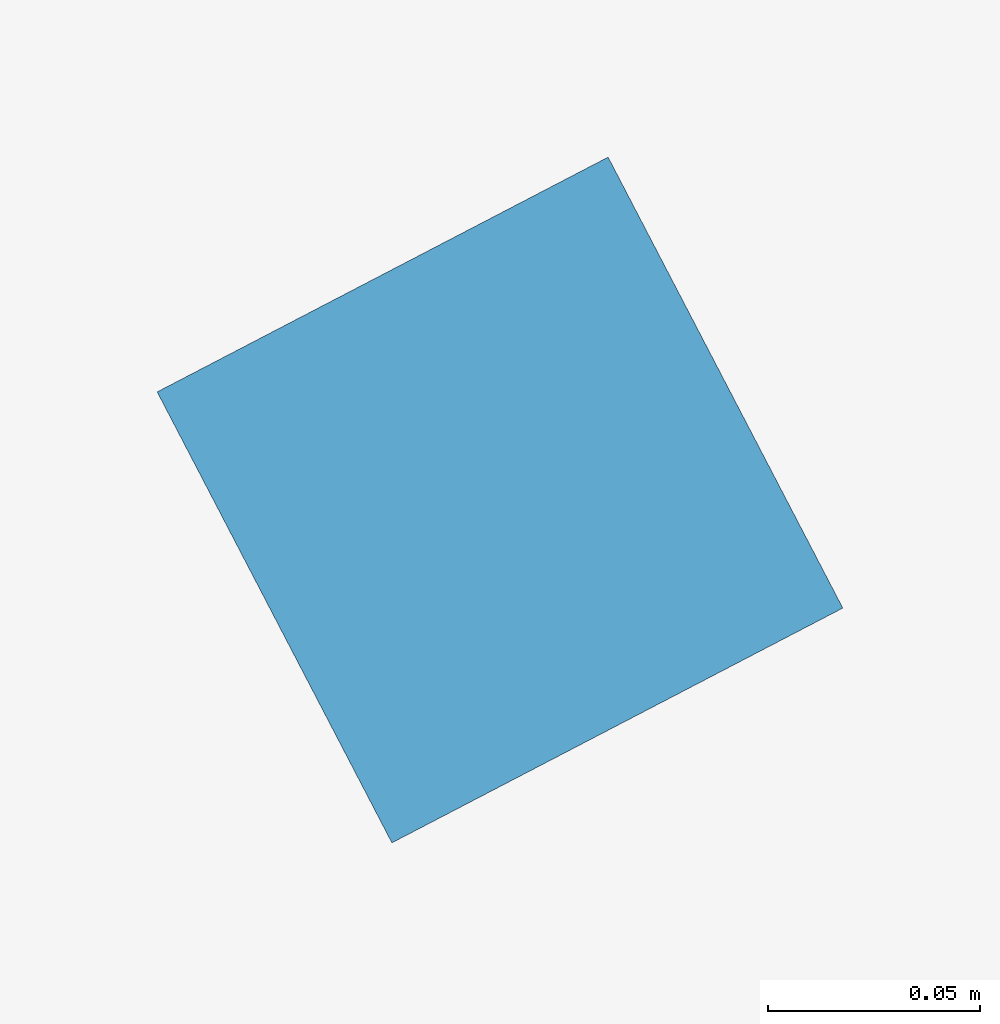
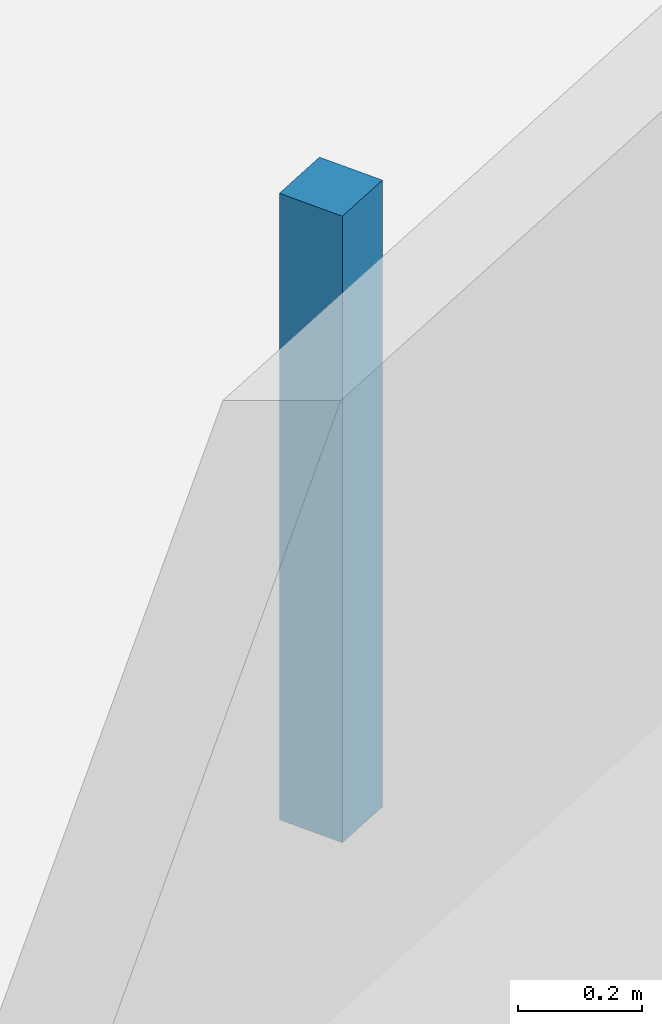
# One storey, part 13 of 16: 1 discrete accessory.
"""IFC4 building model written with IfcOpenShell, lengths in metres."""

from ifc_helpers import new_model, si_unit, direction, frame, origin, origin_2d, place, context, subcontext, project, spatial, rectangle, extrude, source, transform, mapped, material, type_object, element, save


model = new_model("IFC4")

# Units and contexts
model_context = context("Model", 3, precision=1e-05, world=origin(), true_north=direction((0.0, 1.0)))
body_context = subcontext(model_context, "Body", "Model", "MODEL_VIEW")
ifc_project = project(units=[si_unit("LENGTHUNIT", "METRE"), si_unit("AREAUNIT", "SQUARE_METRE"), si_unit("VOLUMEUNIT", "CUBIC_METRE"), si_unit("PLANEANGLEUNIT", "RADIAN"), si_unit("MASSUNIT", "GRAM", prefix="KILO")], contexts=[model_context])

# Site, building, storey
site_placement = place(None, origin())
site = spatial("IfcSite", under=ifc_project, at=site_placement, CompositionType="ELEMENT")
building_placement = place(site_placement, origin())
building = spatial("IfcBuilding", under=site, at=building_placement, Name="Torre Montelarca", CompositionType="ELEMENT")
storey_placement = place(building_placement, frame((0.0, 0.0, 328.199951171875)))
storey = spatial("IfcBuildingStorey", under=building, at=storey_placement, Name="L74", CompositionType="ELEMENT", Elevation=328.199951171875)

# Discrete accessory
ifc_material = material(Name="Galvanized steel suspension hanger", Category="steel")
discrete_accessory_type = type_object("IfcDiscreteAccessoryType", Name="ACC-CEIL-HNG", PredefinedType="BRACKET", material=ifc_material)
shared_shape = source(origin(), body_context, "Body", "SweptSolid", [
    extrude(rectangle(XDim=0.1201171875, YDim=0.1201171875, at=origin_2d()), origin(), (0.0, 0.0, 1.0), 1.22998046875),
])
discrete_accessory_placement = place(storey_placement, frame((30.251220703125, 24.718017578125, 2.75), z_axis=(0.0, 0.0, 1.0), x_axis=(-0.461748613235, 0.887010833178, 0.0)))
element("IfcDiscreteAccessory", 1, at=discrete_accessory_placement, inside=storey, type_object=discrete_accessory_type, Name="L74 Suspended Ceiling Hanger Bracket 01", PredefinedType="BRACKET", context=body_context, shape_type="MappedRepresentation", body=[
    mapped(shared_shape, transform((0.0, 0.0, 0.0), scale=1.0)),
])

save(model, "model.ifc")
